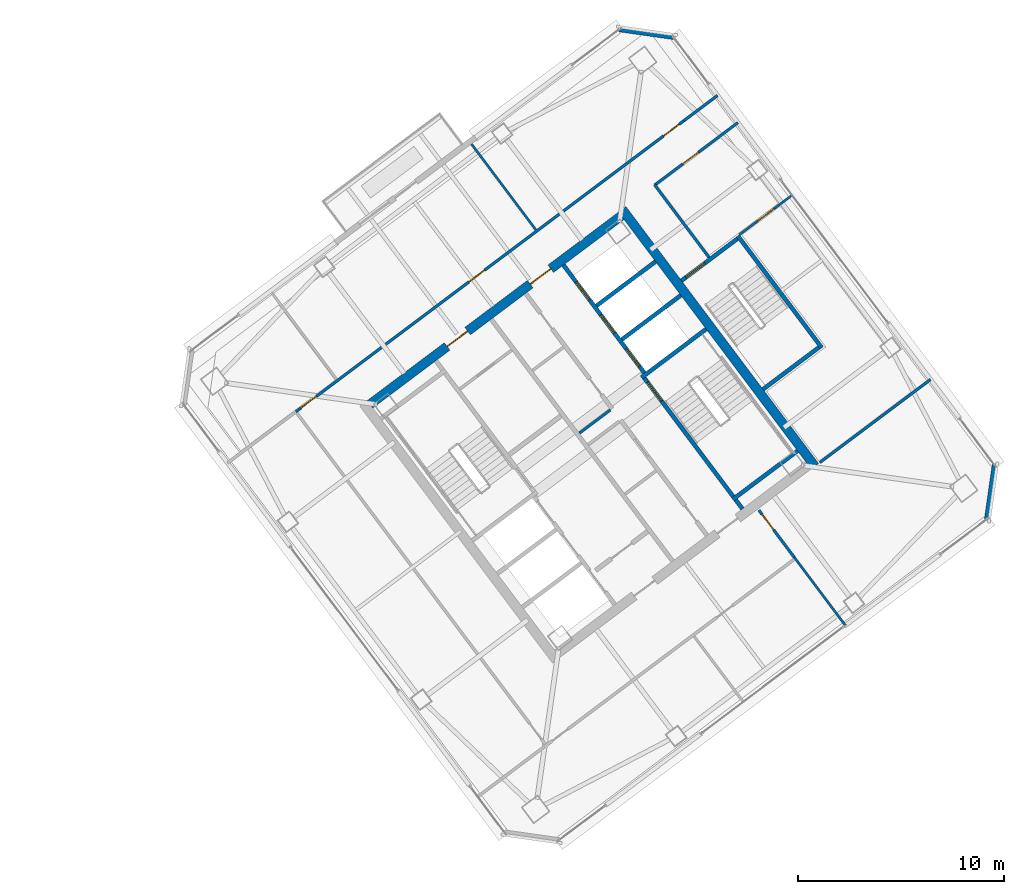
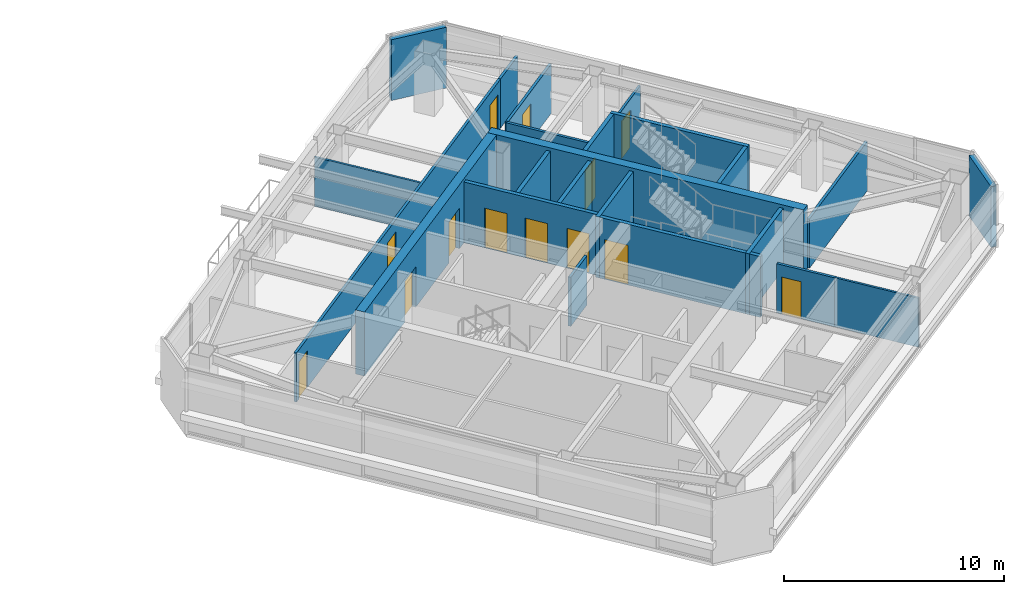
# One storey, part 29 of 36: 23 walls, 13 doors, 13 openings.
"""IFC4 building model written with IfcOpenShell, lengths in metres."""

from ifc_helpers import new_model, si_unit, direction, frame, frame_2d, origin, place, context, subcontext, project, spatial, rectangle, extrude, material, layer, layer_set, type_object, element, fill, save


model = new_model("IFC4")

# Units and contexts
model_context = context("Model", 3, precision=1e-05, world=origin(), true_north=direction((0.0, 1.0)))
body_context = subcontext(model_context, "Body", "Model", "MODEL_VIEW")
ifc_project = project(units=[si_unit("LENGTHUNIT", "METRE"), si_unit("AREAUNIT", "SQUARE_METRE"), si_unit("VOLUMEUNIT", "CUBIC_METRE"), si_unit("PLANEANGLEUNIT", "RADIAN"), si_unit("MASSUNIT", "GRAM", prefix="KILO")], contexts=[model_context])

# Site, building, storey
site_placement = place(None, origin())
site = spatial("IfcSite", under=ifc_project, at=site_placement, CompositionType="ELEMENT")
building_placement = place(site_placement, origin())
building = spatial("IfcBuilding", under=site, at=building_placement, Name="Tashvorn Skyway Center", CompositionType="ELEMENT")
storey_placement = place(building_placement, frame((0.0, 0.0, 236.14990234375)))
storey = spatial("IfcBuildingStorey", under=building, at=storey_placement, Name="L64", CompositionType="ELEMENT", Elevation=236.14990234375)

# Wall
ifc_material_1 = material(Name="Concrete C50/60", Category="concrete")
ifc_layer_1 = layer(ifc_material_1, 0.449951171875)
ifc_layer_set_1 = layer_set([ifc_layer_1], Name="Concrete C50/60")
wall_type_1 = type_object("IfcWallType", Name="WALL-CORE-450", PredefinedType="SHEAR", material=ifc_layer_set_1)
wall_1_placement = place(storey_placement, frame((115.60400390625, 42.952880859375, 0.0), z_axis=(0.0, 0.0, 1.0), x_axis=(0.600005007985, -0.799996243986, 0.0)))
element("IfcWall", 1, at=wall_1_placement, inside=storey, type_object=wall_type_1, Name="Tower 2 L64 East Core Shear Wall", PredefinedType="SHEAR", context=body_context, shape_type="SweptSolid", body=[
    extrude(rectangle(XDim=15.60009765625, YDim=0.449951171875, at=frame_2d((7.800048828125, 0.0))), origin(), (0.0, 0.0, 1.0), 3.550048828125),
])

# Wall, openings, doors
wall_2_placement = place(storey_placement, frame((103.35107421875, 33.48193359375, 0.0), z_axis=(0.0, 0.0, 1.0), x_axis=(0.8, 0.6, 0.0)))
wall_2 = element("IfcWall", 2, at=wall_2_placement, inside=storey, type_object=wall_type_1, Name="Tower 2 L64 North Core Shear Wall", PredefinedType="SHEAR", context=body_context, shape_type="SweptSolid", body=[
    extrude(rectangle(XDim=15.260009765625, YDim=0.449951171875, at=frame_2d((7.6298828125, 0.0))), origin(), (0.0, 0.0, 1.0), 3.550048828125),
])
opening_1_placement = place(wall_2_placement, frame((4.679931640625, 0.0, 0.0)))
opening_1 = element("IfcOpeningElement", 3, at=opening_1_placement, cuts=wall_2, Name="Opening D-FFL-1250", PredefinedType="OPENING", context=body_context, shape_type="SweptSolid", body=[
    extrude(rectangle(XDim=1.25, YDim=2.25, at=frame_2d((0.625, 1.125))), frame((0.0, 0.23486328125, 0.0), z_axis=(0.0, -1.0, 0.0), x_axis=(1.0, 0.0, 0.0)), (0.0, 0.0, 1.0), 0.469970703125),
])
opening_2_placement = place(wall_2_placement, frame((9.72998046875, 0.0, 0.0)))
opening_2 = element("IfcOpeningElement", 4, at=opening_2_placement, cuts=wall_2, Name="Opening D-FFL-1250", PredefinedType="OPENING", context=body_context, shape_type="SweptSolid", body=[
    extrude(rectangle(XDim=1.25, YDim=2.25, at=frame_2d((0.625, 1.125))), frame((0.0, 0.23486328125, 0.0), z_axis=(0.0, -1.0, 0.0), x_axis=(1.0, 0.0, 0.0)), (0.0, 0.0, 1.0), 0.469970703125),
])
ifc_material_2 = material(Name="Hollow galvanized steel fire door assembly", Category="steel")
door_type_1 = type_object("IfcDoorType", Name="DOOR-FFL-1250", OperationType="NOTDEFINED", PredefinedType="DOOR", material=ifc_material_2)
door_1_placement = place(opening_1_placement, origin())
door_1 = element("IfcDoor", 5, at=door_1_placement, inside=storey, type_object=door_type_1, Name="Tower 2 L64 Core North Service Lobby Door", OperationType="SINGLE_SWING_LEFT", OverallHeight=2.25, OverallWidth=1.25, PredefinedType="DOOR", context=body_context, shape_type="SweptSolid", body=[
    extrude(rectangle(XDim=1.25, YDim=2.25, at=frame_2d((0.625, 1.125))), frame((0.0, 0.02490234375, 0.0), z_axis=(0.0, -1.0, 0.0), x_axis=(1.0, 0.0, 0.0)), (0.0, 0.0, 1.0), 0.050048828125),
])
fill(opening_1, door_1)
door_2_placement = place(opening_2_placement, origin())
door_2 = element("IfcDoor", 6, at=door_2_placement, inside=storey, type_object=door_type_1, Name="Tower 2 L64 Core North Lift Lobby Door", OperationType="SINGLE_SWING_RIGHT", OverallHeight=2.25, OverallWidth=1.25, PredefinedType="DOOR", context=body_context, shape_type="SweptSolid", body=[
    extrude(rectangle(XDim=1.25, YDim=2.25, at=frame_2d((0.625, 1.125))), frame((0.0, 0.02490234375, 0.0), z_axis=(0.0, -1.0, 0.0), x_axis=(1.0, 0.0, 0.0)), (0.0, 0.0, 1.0), 0.050048828125),
])
fill(opening_2, door_2)

# Walls
ifc_material_3 = material(Name="Precast concrete C40/50", Category="concrete")
ifc_layer_2 = layer(ifc_material_3, 0.280029296875)
ifc_layer_set_2 = layer_set([ifc_layer_2], Name="Precast concrete C40/50")
wall_type_2 = type_object("IfcWallType", Name="WALL-EXT-280", PredefinedType="SOLIDWALL", material=ifc_layer_set_2)
for number, where, z_axis, x_axis, name in (
    (7, (115.4599609375, 51.719970703125, 0.0), (0.0, 0.0, 1.0), (0.989956760759, -0.141370477216, 0.0), "Tower 2 L64 NE Precast Chamfer Wall"),
    (8, (133.719970703125, 30.5400390625, 0.0), (0.0, 0.0, 1.0), (-0.141370477216, -0.989956760759, 0.0), "Tower 2 L64 SE Precast Chamfer Wall"),
):
    element("IfcWall", number, at=place(storey_placement, frame(where, z_axis=z_axis, x_axis=x_axis)), inside=storey, type_object=wall_type_2, Name=name, PredefinedType="SOLIDWALL", context=body_context, shape_type="SweptSolid", body=[
        extrude(rectangle(XDim=2.687255859375, YDim=0.280029296875, at=frame_2d((1.34375, 0.0))), origin(), (0.0, 0.0, 1.0), 3.3701171875),
    ])
ifc_material_4 = material(Name="Gypsum board on cold-formed steel stud framing", Category="steel")
ifc_layer_3 = layer(ifc_material_4, 0.110107421875)
ifc_layer_set_3 = layer_set([ifc_layer_3], Name="Gypsum board on cold-formed steel stud framing")
wall_type_3 = type_object("IfcWallType", Name="WALL-PART-110", PredefinedType="PARTITIONING", material=ifc_layer_set_3)
wall_3_placement = place(storey_placement, frame((111.402099609375, 41.964111328125, 0.0), z_axis=(0.0, 0.0, 1.0), x_axis=(-0.60002253582, 0.799983097639, 0.0)))
element("IfcWall", 9, at=wall_3_placement, inside=storey, type_object=wall_type_3, Name="Tower 2 L64 North Suite Partition 2", PredefinedType="PARTITIONING", context=body_context, shape_type="SweptSolid", body=[
    extrude(rectangle(XDim=5.199951171875, YDim=0.110107421875, at=frame_2d((2.60009765625, 0.0))), origin(), (0.0, 0.0, 1.0), 2.72314453125),
])
wall_4_placement = place(storey_placement, frame((126.447998046875, 22.736083984375, 0.0), z_axis=(0.0, 0.0, 1.0), x_axis=(-0.599981128793, 0.800014153057, 0.0)))
element("IfcWall", 10, at=wall_4_placement, inside=storey, type_object=wall_type_3, Name="Tower 2 L64 South-East Suite Wall", PredefinedType="PARTITIONING", context=body_context, shape_type="SweptSolid", body=[
    extrude(rectangle(XDim=4.139892578125, YDim=0.110107421875, at=frame_2d((2.06982421875, 0.0))), origin(), (0.0, 0.0, 1.0), 2.72314453125),
])

# Wall, opening, door
wall_5_placement = place(storey_placement, frame((123.864013671875, 43.64794921875, 0.0), z_axis=(0.0, 0.0, 1.0), x_axis=(-0.800018310174, -0.599975585658, 0.0)))
wall_5 = element("IfcWall", 11, at=wall_5_placement, inside=storey, type_object=wall_type_3, Name="Tower 2 L64 East Suite Partition 1", PredefinedType="PARTITIONING", context=body_context, shape_type="SweptSolid", body=[
    extrude(rectangle(XDim=3.199951171875, YDim=0.110107421875, at=frame_2d((1.60009765625, 0.0))), origin(), (0.0, 0.0, 1.0), 2.72314453125),
])
opening_3_placement = place(wall_5_placement, frame((1.125, 0.0, 0.0)))
opening_3 = element("IfcOpeningElement", 12, at=opening_3_placement, cuts=wall_5, Name="Opening D-INT-950", PredefinedType="OPENING", context=body_context, shape_type="SweptSolid", body=[
    extrude(rectangle(XDim=0.949951171875, YDim=2.050048828125, at=frame_2d((0.47509765625, 1.02490234375))), frame((0.0, 0.06494140625, 0.0), z_axis=(0.0, -1.0, 0.0), x_axis=(1.0, 0.0, 0.0)), (0.0, 0.0, 1.0), 0.130126953125),
])
ifc_material_5 = material(Name="Solid-core architectural oak veneer door")
door_type_2 = type_object("IfcDoorType", Name="DOOR-INT-950", OperationType="NOTDEFINED", PredefinedType="DOOR", material=ifc_material_5)
door_3_placement = place(opening_3_placement, origin())
door_3 = element("IfcDoor", 13, at=door_3_placement, inside=storey, type_object=door_type_2, Name="Tower 2 L64 Security Control Room Door", OperationType="SINGLE_SWING_LEFT", OverallHeight=2.050048828125, OverallWidth=0.949951171875, PredefinedType="DOOR", context=body_context, shape_type="SweptSolid", body=[
    extrude(rectangle(XDim=0.949951171875, YDim=2.050048828125, at=frame_2d((0.47509765625, 1.02490234375))), frame((0.0, 0.02490234375, 0.0), z_axis=(0.0, -1.0, 0.0), x_axis=(1.0, 0.0, 0.0)), (0.0, 0.0, 1.0), 0.050048828125),
])
fill(opening_3, door_3)

# Wall
ifc_layer_4 = layer(ifc_material_4, 0.135009765625)
ifc_layer_set_4 = layer_set([ifc_layer_4], Name="Gypsum board on cold-formed steel stud framing")
wall_type_4 = type_object("IfcWallType", Name="WALL-PART-135", PredefinedType="PARTITIONING", material=ifc_layer_set_4)
wall_6_placement = place(storey_placement, frame((119.823974609375, 40.617919921875, 0.0), z_axis=(0.0, 0.0, 1.0), x_axis=(-0.599982243973, 0.800013316712, 0.0)))
element("IfcWall", 14, at=wall_6_placement, inside=storey, type_object=wall_type_4, Name="Tower 2 L64 Stair 3 Access Corridor Wall", PredefinedType="PARTITIONING", context=body_context, shape_type="SweptSolid", body=[
    extrude(rectangle(XDim=4.39990234375, YDim=0.135009765625, at=frame_2d((2.199951171875, 0.0))), origin(), (0.0, 0.0, 1.0), 2.72314453125),
])

# Wall, openings, doors
wall_7_placement = place(storey_placement, frame((99.74609375, 33.1220703125, 0.0), z_axis=(0.0, 0.0, 1.0), x_axis=(0.800001242445, 0.599998343403, 0.0)))
wall_7 = element("IfcWall", 15, at=wall_7_placement, inside=storey, type_object=wall_type_4, Name="Tower 2 L64 North Suite Wall", PredefinedType="PARTITIONING", context=body_context, shape_type="SweptSolid", body=[
    extrude(rectangle(XDim=23.580078125, YDim=0.135009765625, at=frame_2d((11.7900390625, 0.0))), origin(), (0.0, 0.0, 1.0), 2.72314453125),
])
opening_4_placement = place(wall_7_placement, frame((0.300048828125, 0.0, 0.0)))
opening_4 = element("IfcOpeningElement", 16, at=opening_4_placement, cuts=wall_7, Name="Opening D-INT-950", PredefinedType="OPENING", context=body_context, shape_type="SweptSolid", body=[
    extrude(rectangle(XDim=0.949951171875, YDim=2.050048828125, at=frame_2d((0.47509765625, 1.02490234375))), frame((0.0, 0.077392578125, 0.0), z_axis=(0.0, -1.0, 0.0), x_axis=(1.0, 0.0, 0.0)), (0.0, 0.0, 1.0), 0.155029296875),
])
opening_5_placement = place(wall_7_placement, frame((10.512451171875, 0.0, 0.0)))
opening_5 = element("IfcOpeningElement", 17, at=opening_5_placement, cuts=wall_7, Name="Opening D-INT-950", PredefinedType="OPENING", context=body_context, shape_type="SweptSolid", body=[
    extrude(rectangle(XDim=0.949951171875, YDim=2.050048828125, at=frame_2d((0.47509765625, 1.02490234375))), frame((0.0, 0.077392578125, 0.0), z_axis=(0.0, -1.0, 0.0), x_axis=(1.0, 0.0, 0.0)), (0.0, 0.0, 1.0), 0.155029296875),
])
opening_6_placement = place(wall_7_placement, frame((22.330078125, 0.0, 0.0)))
opening_6 = element("IfcOpeningElement", 18, at=opening_6_placement, cuts=wall_7, Name="Opening D-INT-950", PredefinedType="OPENING", context=body_context, shape_type="SweptSolid", body=[
    extrude(rectangle(XDim=0.949951171875, YDim=2.050048828125, at=frame_2d((0.47509765625, 1.02490234375))), frame((0.0, 0.077392578125, 0.0), z_axis=(0.0, -1.0, 0.0), x_axis=(1.0, 0.0, 0.0)), (0.0, 0.0, 1.0), 0.155029296875),
])
door_4_placement = place(opening_4_placement, origin())
door_4 = element("IfcDoor", 19, at=door_4_placement, inside=storey, type_object=door_type_2, Name="Tower 2 L64 Executive Suite Door", OperationType="SINGLE_SWING_RIGHT", OverallHeight=2.050048828125, OverallWidth=0.949951171875, PredefinedType="DOOR", context=body_context, shape_type="SweptSolid", body=[
    extrude(rectangle(XDim=0.949951171875, YDim=2.050048828125, at=frame_2d((0.47509765625, 1.02490234375))), frame((0.0, 0.02490234375, 0.0), z_axis=(0.0, -1.0, 0.0), x_axis=(1.0, 0.0, 0.0)), (0.0, 0.0, 1.0), 0.050048828125),
])
fill(opening_4, door_4)
door_5_placement = place(opening_5_placement, origin())
door_5 = element("IfcDoor", 20, at=door_5_placement, inside=storey, type_object=door_type_2, Name="Tower 2 L64 Executive Suite Door", OperationType="SINGLE_SWING_LEFT", OverallHeight=2.050048828125, OverallWidth=0.949951171875, PredefinedType="DOOR", context=body_context, shape_type="SweptSolid", body=[
    extrude(rectangle(XDim=0.949951171875, YDim=2.050048828125, at=frame_2d((0.47509765625, 1.02490234375))), frame((0.0, 0.02490234375, 0.0), z_axis=(0.0, -1.0, 0.0), x_axis=(1.0, 0.0, 0.0)), (0.0, 0.0, 1.0), 0.050048828125),
])
fill(opening_5, door_5)
door_6_placement = place(opening_6_placement, origin())
door_6 = element("IfcDoor", 21, at=door_6_placement, inside=storey, type_object=door_type_2, Name="Tower 2 L64 Design Studio Door", OperationType="SINGLE_SWING_RIGHT", OverallHeight=2.050048828125, OverallWidth=0.949951171875, PredefinedType="DOOR", context=body_context, shape_type="SweptSolid", body=[
    extrude(rectangle(XDim=0.949951171875, YDim=2.050048828125, at=frame_2d((0.47509765625, 1.02490234375))), frame((0.0, 0.02490234375, 0.0), z_axis=(0.0, -1.0, 0.0), x_axis=(1.0, 0.0, 0.0)), (0.0, 0.0, 1.0), 0.050048828125),
])
fill(opening_6, door_6)

# Wall
wall_8_placement = place(storey_placement, frame((118.610107421875, 47.27001953125, 0.0), z_axis=(0.0, 0.0, 1.0), x_axis=(0.799956698502, 0.600057730991, 0.0)))
element("IfcWall", 22, at=wall_8_placement, inside=storey, type_object=wall_type_4, Name="Tower 2 L64 North-East Suite South Wall", PredefinedType="PARTITIONING", context=body_context, shape_type="SweptSolid", body=[
    extrude(rectangle(XDim=2.02978515625, YDim=0.135009765625, at=frame_2d((1.014892578125, 0.0))), origin(), (0.0, 0.0, 1.0), 2.72314453125),
])

# Wall, opening, door
wall_9_placement = place(storey_placement, frame((122.248046875, 28.3359375, 0.0), z_axis=(0.0, 0.0, 1.0), x_axis=(0.600040975122, -0.799969267018, 0.0)))
wall_9 = element("IfcWall", 23, at=wall_9_placement, inside=storey, type_object=wall_type_4, Name="Tower 2 L64 South Gallery End Wall", PredefinedType="PARTITIONING", context=body_context, shape_type="SweptSolid", body=[
    extrude(rectangle(XDim=2.85986328125, YDim=0.135009765625, at=frame_2d((1.429931640625, 0.0))), origin(), (0.0, 0.0, 1.0), 2.72314453125),
])
opening_7_placement = place(wall_9_placement, frame((0.25, 0.0, 0.0)))
opening_7 = element("IfcOpeningElement", 24, at=opening_7_placement, cuts=wall_9, Name="Opening D-INT-950", PredefinedType="OPENING", context=body_context, shape_type="SweptSolid", body=[
    extrude(rectangle(XDim=0.949951171875, YDim=2.050048828125, at=frame_2d((0.47509765625, 1.02490234375))), frame((0.0, 0.077392578125, 0.0), z_axis=(0.0, -1.0, 0.0), x_axis=(1.0, 0.0, 0.0)), (0.0, 0.0, 1.0), 0.155029296875),
])
door_7_placement = place(opening_7_placement, origin())
door_7 = element("IfcDoor", 25, at=door_7_placement, inside=storey, type_object=door_type_2, Name="Tower 2 L64 Executive Suite Door", OperationType="SINGLE_SWING_LEFT", OverallHeight=2.050048828125, OverallWidth=0.949951171875, PredefinedType="DOOR", context=body_context, shape_type="SweptSolid", body=[
    extrude(rectangle(XDim=0.949951171875, YDim=2.050048828125, at=frame_2d((0.47509765625, 1.02490234375))), frame((0.0, 0.02490234375, 0.0), z_axis=(0.0, -1.0, 0.0), x_axis=(1.0, 0.0, 0.0)), (0.0, 0.0, 1.0), 0.050048828125),
])
fill(opening_7, door_7)

wall_10_placement = place(storey_placement, frame((121.22412109375, 47.16796875, 0.0), z_axis=(0.0, 0.0, 1.0), x_axis=(-0.8, -0.6, 0.0)))
wall_10 = element("IfcWall", 26, at=wall_10_placement, inside=storey, type_object=wall_type_4, Name="Tower 2 L64 East Suite North Wall", PredefinedType="PARTITIONING", context=body_context, shape_type="SweptSolid", body=[
    extrude(rectangle(XDim=5.050048828125, YDim=0.135009765625, at=frame_2d((2.52490234375, 0.0))), origin(), (0.0, 0.0, 1.0), 2.72314453125),
])
opening_8_placement = place(wall_10_placement, frame((2.39990234375, 0.0, 0.0)))
opening_8 = element("IfcOpeningElement", 27, at=opening_8_placement, cuts=wall_10, Name="Opening D-INT-950", PredefinedType="OPENING", context=body_context, shape_type="SweptSolid", body=[
    extrude(rectangle(XDim=0.949951171875, YDim=2.050048828125, at=frame_2d((0.47509765625, 1.02490234375))), frame((0.0, 0.077392578125, 0.0), z_axis=(0.0, -1.0, 0.0), x_axis=(1.0, 0.0, 0.0)), (0.0, 0.0, 1.0), 0.155029296875),
])
door_8_placement = place(opening_8_placement, origin())
door_8 = element("IfcDoor", 28, at=door_8_placement, inside=storey, type_object=door_type_2, Name="Tower 2 L64 Executive Suite Door", OperationType="SINGLE_SWING_RIGHT", OverallHeight=2.050048828125, OverallWidth=0.949951171875, PredefinedType="DOOR", context=body_context, shape_type="SweptSolid", body=[
    extrude(rectangle(XDim=0.949951171875, YDim=2.050048828125, at=frame_2d((0.47509765625, 1.02490234375))), frame((0.0, 0.02490234375, 0.0), z_axis=(0.0, -1.0, 0.0), x_axis=(1.0, 0.0, 0.0)), (0.0, 0.0, 1.0), 0.050048828125),
])
fill(opening_8, door_8)

# Walls
wall_11_placement = place(storey_placement, frame((125.2080078125, 30.656005859375, 0.0), z_axis=(0.0, 0.0, 1.0), x_axis=(0.8, 0.6, 0.0)))
element("IfcWall", 29, at=wall_11_placement, inside=storey, type_object=wall_type_4, Name="Tower 2 L64 East Suite South Wall", PredefinedType="PARTITIONING", context=body_context, shape_type="SweptSolid", body=[
    extrude(rectangle(XDim=6.719970703125, YDim=0.135009765625, at=frame_2d((3.35986328125, 0.0))), origin(), (0.0, 0.0, 1.0), 2.72314453125),
])
ifc_layer_5 = layer(ifc_material_4, 0.135009765625)
ifc_layer_set_5 = layer_set([ifc_layer_5], Name="Gypsum board on cold-formed steel stud framing")
wall_type_5 = type_object("IfcWallType", Name="WALL-RATED-135", PredefinedType="PARTITIONING", material=ifc_layer_set_5)
wall_12_placement = place(storey_placement, frame((113.52587890625, 32.08203125, 0.0), z_axis=(0.0, 0.0, 1.0), x_axis=(0.800046745961, 0.599937666993, 0.0)))
element("IfcWall", 30, at=wall_12_placement, inside=storey, type_object=wall_type_5, Name="Tower 2 L64 Core Room Partition", PredefinedType="PARTITIONING", context=body_context, shape_type="SweptSolid", body=[
    extrude(rectangle(XDim=1.880126953125, YDim=0.135009765625, at=frame_2d((0.93994140625, 0.0))), origin(), (0.0, 0.0, 1.0), 2.72314453125),
])
ifc_material_6 = material(Name="Concrete C40/50", Category="concrete")
ifc_layer_6 = layer(ifc_material_6, 0.199951171875)
ifc_layer_set_6 = layer_set([ifc_layer_6], Name="Concrete C40/50")
wall_type_6 = type_object("IfcWallType", Name="WALL-SHAFT-200", PredefinedType="SOLIDWALL", material=ifc_layer_set_6)
for number, where, z_axis, x_axis, name in (
    (31, (115.590087890625, 36.6298828125, 0.0), (0.0, 0.0, 1.0), (0.799975449747, 0.600032732276, 0.0), "Tower 2 L64 High-Rise Shaft Divider"),
    (32, (114.360107421875, 38.27001953125, 0.0), (0.0, 0.0, 1.0), (0.800008183455, 0.599989088572, 0.0), "Tower 2 L64 High-Rise Shaft Divider"),
):
    element("IfcWall", number, at=place(storey_placement, frame(where, z_axis=z_axis, x_axis=x_axis)), inside=storey, type_object=wall_type_6, Name=name, PredefinedType="SOLIDWALL", context=body_context, shape_type="SweptSolid", body=[
        extrude(rectangle(XDim=3.580078125, YDim=0.199951171875, at=frame_2d((1.7900390625, 0.0))), origin(), (0.0, 0.0, 1.0), 3.3701171875),
    ])

# Wall, opening, door
ifc_layer_7 = layer(ifc_material_6, 0.199951171875)
ifc_layer_set_7 = layer_set([ifc_layer_7], Name="Concrete C40/50")
wall_type_7 = type_object("IfcWallType", Name="WALL-STSHF-200", PredefinedType="SHEAR", material=ifc_layer_set_7)
wall_13_placement = place(storey_placement, frame((116.56005859375, 34.919921875, 0.0), z_axis=(0.0, 0.0, 1.0), x_axis=(0.59999041401, -0.800007189403, 0.0)))
wall_13 = element("IfcWall", 33, at=wall_13_placement, inside=storey, type_object=wall_type_7, Name="Tower 2 L64 Stair 2 Enclosure Wall", PredefinedType="SHEAR", context=body_context, shape_type="SweptSolid", body=[
    extrude(rectangle(XDim=8.14990234375, YDim=0.199951171875, at=frame_2d((4.074951171875, 0.0))), origin(), (0.0, 0.0, 1.0), 3.3701171875),
])
opening_9_placement = place(wall_13_placement, frame((0.449951171875, 0.0, 0.0)))
opening_9 = element("IfcOpeningElement", 34, at=opening_9_placement, cuts=wall_13, Name="Opening D-ST-1150", PredefinedType="OPENING", context=body_context, shape_type="SweptSolid", body=[
    extrude(rectangle(XDim=1.14990234375, YDim=2.199951171875, at=frame_2d((0.574951171875, 1.10009765625))), frame((0.0, 0.10986328125, 0.0), z_axis=(0.0, -1.0, 0.0), x_axis=(1.0, 0.0, 0.0)), (0.0, 0.0, 1.0), 0.219970703125),
])
door_type_3 = type_object("IfcDoorType", Name="DOOR-STAIR-1150", OperationType="NOTDEFINED", PredefinedType="DOOR", material=ifc_material_2)
door_9_placement = place(opening_9_placement, origin())
door_9 = element("IfcDoor", 35, at=door_9_placement, inside=storey, type_object=door_type_3, Name="Tower 2 L64 Exit Stair 2 Door", OperationType="SINGLE_SWING_RIGHT", OverallHeight=2.199951171875, OverallWidth=1.14990234375, PredefinedType="DOOR", context=body_context, shape_type="SweptSolid", body=[
    extrude(rectangle(XDim=1.14990234375, YDim=2.199951171875, at=frame_2d((0.574951171875, 1.10009765625))), frame((0.0, 0.02490234375, 0.0), z_axis=(0.0, -1.0, 0.0), x_axis=(1.0, 0.0, 0.0)), (0.0, 0.0, 1.0), 0.050048828125),
])
fill(opening_9, door_9)

# Walls
for number, where, z_axis, x_axis, name in (
    (36, (116.5400390625, 34.780029296875, 0.0), (0.0, 0.0, 1.0), (0.800014909178, 0.599980120581, 0.0), "Tower 2 L64 Stair 2 North Wall"),
    (37, (120.97998046875, 28.860107421875, 0.0), (0.0, 0.0, 1.0), (0.800014909178, 0.599980120581, 0.0), "Tower 2 L64 Stair 2 South Wall"),
):
    element("IfcWall", number, at=place(storey_placement, frame(where, z_axis=z_axis, x_axis=x_axis)), inside=storey, type_object=wall_type_7, Name=name, PredefinedType="SHEAR", context=body_context, shape_type="SweptSolid", body=[
        extrude(rectangle(XDim=3.929931640625, YDim=0.199951171875, at=frame_2d((1.96484375, 0.0))), origin(), (0.0, 0.0, 1.0), 3.3701171875),
    ])

# Wall, openings, doors
wall_14_placement = place(storey_placement, frame((112.75, 40.25, 0.0), z_axis=(0.0, 0.0, 1.0), x_axis=(0.599994036198, -0.800004472816, 0.0)))
wall_14 = element("IfcWall", 38, at=wall_14_placement, inside=storey, type_object=wall_type_7, Name="Tower 2 L64 High-Rise Lift Shaft Front Wall", PredefinedType="SHEAR", context=body_context, shape_type="SweptSolid", body=[
    extrude(rectangle(XDim=6.550048828125, YDim=0.199951171875, at=frame_2d((3.27490234375, 0.0))), origin(), (0.0, 0.0, 1.0), 3.3701171875),
])
opening_10_placement = place(wall_14_placement, frame((5.074951171875, 0.0, 0.0)))
opening_10 = element("IfcOpeningElement", 39, at=opening_10_placement, cuts=wall_14, Name="Opening LD-HR-T2-1-L64", PredefinedType="OPENING", context=body_context, shape_type="SweptSolid", body=[
    extrude(rectangle(XDim=1.10009765625, YDim=2.199951171875, at=frame_2d((0.550048828125, 1.10009765625))), frame((0.0, 0.10986328125, 0.0), z_axis=(0.0, -1.0, 0.0), x_axis=(1.0, 0.0, 0.0)), (0.0, 0.0, 1.0), 0.219970703125),
])
opening_11_placement = place(wall_14_placement, frame((3.02490234375, 0.0, 0.0)))
opening_11 = element("IfcOpeningElement", 40, at=opening_11_placement, cuts=wall_14, Name="Opening LD-HR-T2-2-L64", PredefinedType="OPENING", context=body_context, shape_type="SweptSolid", body=[
    extrude(rectangle(XDim=1.10009765625, YDim=2.199951171875, at=frame_2d((0.550048828125, 1.10009765625))), frame((0.0, 0.10986328125, 0.0), z_axis=(0.0, -1.0, 0.0), x_axis=(1.0, 0.0, 0.0)), (0.0, 0.0, 1.0), 0.219970703125),
])
opening_12_placement = place(wall_14_placement, frame((1.02490234375, 0.0, 0.0)))
opening_12 = element("IfcOpeningElement", 41, at=opening_12_placement, cuts=wall_14, Name="Opening LD-HR-T2-3-L64", PredefinedType="OPENING", context=body_context, shape_type="SweptSolid", body=[
    extrude(rectangle(XDim=1.10009765625, YDim=2.199951171875, at=frame_2d((0.550048828125, 1.10009765625))), frame((0.0, 0.10986328125, 0.0), z_axis=(0.0, -1.0, 0.0), x_axis=(1.0, 0.0, 0.0)), (0.0, 0.0, 1.0), 0.219970703125),
])
ifc_material_7 = material(Name="Stainless steel landing door", Category="steel")
door_type_4 = type_object("IfcDoorType", Name="DOOR-LIFT-1100", OperationType="SLIDING_TO_LEFT", PredefinedType="DOOR", material=ifc_material_7)
door_10_placement = place(opening_10_placement, origin())
door_10 = element("IfcDoor", 42, at=door_10_placement, inside=storey, type_object=door_type_4, Name="Lift HR-T2-1 L64 Landing Door", OperationType="SLIDING_TO_LEFT", OverallHeight=2.199951171875, OverallWidth=1.10009765625, PredefinedType="DOOR", context=body_context, shape_type="SweptSolid", body=[
    extrude(rectangle(XDim=1.10009765625, YDim=2.199951171875, at=frame_2d((0.550048828125, 1.10009765625))), frame((0.0, 0.02490234375, 0.0), z_axis=(0.0, -1.0, 0.0), x_axis=(1.0, 0.0, 0.0)), (0.0, 0.0, 1.0), 0.050048828125),
])
fill(opening_10, door_10)
door_11_placement = place(opening_11_placement, origin())
door_11 = element("IfcDoor", 43, at=door_11_placement, inside=storey, type_object=door_type_4, Name="Lift HR-T2-2 L64 Landing Door", OperationType="SLIDING_TO_LEFT", OverallHeight=2.199951171875, OverallWidth=1.10009765625, PredefinedType="DOOR", context=body_context, shape_type="SweptSolid", body=[
    extrude(rectangle(XDim=1.10009765625, YDim=2.199951171875, at=frame_2d((0.550048828125, 1.10009765625))), frame((0.0, 0.02490234375, 0.0), z_axis=(0.0, -1.0, 0.0), x_axis=(1.0, 0.0, 0.0)), (0.0, 0.0, 1.0), 0.050048828125),
])
fill(opening_11, door_11)
door_12_placement = place(opening_12_placement, origin())
door_12 = element("IfcDoor", 44, at=door_12_placement, inside=storey, type_object=door_type_4, Name="Lift HR-T2-3 L64 Landing Door", OperationType="SLIDING_TO_LEFT", OverallHeight=2.199951171875, OverallWidth=1.10009765625, PredefinedType="DOOR", context=body_context, shape_type="SweptSolid", body=[
    extrude(rectangle(XDim=1.10009765625, YDim=2.199951171875, at=frame_2d((0.550048828125, 1.10009765625))), frame((0.0, 0.02490234375, 0.0), z_axis=(0.0, -1.0, 0.0), x_axis=(1.0, 0.0, 0.0)), (0.0, 0.0, 1.0), 0.050048828125),
])
fill(opening_12, door_12)

# Wall
wall_15_placement = place(storey_placement, frame((125.303955078125, 36.22802734375, 0.0), z_axis=(0.0, 0.0, 1.0), x_axis=(-0.59998851072, 0.800008616831, 0.0)))
element("IfcWall", 45, at=wall_15_placement, inside=storey, type_object=wall_type_7, Name="Tower 2 L64 Stair 3 Outer Wall", PredefinedType="SHEAR", context=body_context, shape_type="SweptSolid", body=[
    extrude(rectangle(XDim=6.7998046875, YDim=0.199951171875, at=frame_2d((3.39990234375, 0.0))), origin(), (0.0, 0.0, 1.0), 3.3701171875),
])

# Wall, opening, door
wall_16_placement = place(storey_placement, frame((121.2041015625, 41.528076171875, 0.0), z_axis=(0.0, 0.0, 1.0), x_axis=(-0.800017232136, -0.599977023131, 0.0)))
wall_16 = element("IfcWall", 46, at=wall_16_placement, inside=storey, type_object=wall_type_7, Name="Tower 2 L64 Stair 3 Enclosure Wall", PredefinedType="SHEAR", context=body_context, shape_type="SweptSolid", body=[
    extrude(rectangle(XDim=3.400146484375, YDim=0.199951171875, at=frame_2d((1.7001953125, 0.0))), origin(), (0.0, 0.0, 1.0), 3.3701171875),
])
opening_13_placement = place(wall_16_placement, frame((1.97509765625, 0.0, 0.0)))
opening_13 = element("IfcOpeningElement", 47, at=opening_13_placement, cuts=wall_16, Name="Opening D-ST-1150", PredefinedType="OPENING", context=body_context, shape_type="SweptSolid", body=[
    extrude(rectangle(XDim=1.14990234375, YDim=2.199951171875, at=frame_2d((0.574951171875, 1.10009765625))), frame((0.0, 0.10986328125, 0.0), z_axis=(0.0, -1.0, 0.0), x_axis=(1.0, 0.0, 0.0)), (0.0, 0.0, 1.0), 0.219970703125),
])
door_13_placement = place(opening_13_placement, origin())
door_13 = element("IfcDoor", 48, at=door_13_placement, inside=storey, type_object=door_type_3, Name="Tower 2 L64 Exit Stair 3 Door", OperationType="SINGLE_SWING_RIGHT", OverallHeight=2.199951171875, OverallWidth=1.14990234375, PredefinedType="DOOR", context=body_context, shape_type="SweptSolid", body=[
    extrude(rectangle(XDim=1.14990234375, YDim=2.199951171875, at=frame_2d((0.574951171875, 1.10009765625))), frame((0.0, 0.02490234375, 0.0), z_axis=(0.0, -1.0, 0.0), x_axis=(1.0, 0.0, 0.0)), (0.0, 0.0, 1.0), 0.050048828125),
])
fill(opening_13, door_13)

# Wall
wall_17_placement = place(storey_placement, frame((122.444091796875, 34.2080078125, 0.0), z_axis=(0.0, 0.0, 1.0), x_axis=(0.79999138319, 0.600011488909, 0.0)))
element("IfcWall", 49, at=wall_17_placement, inside=storey, type_object=wall_type_7, Name="Tower 2 L64 Stair 3 South Wall", PredefinedType="SHEAR", context=body_context, shape_type="SweptSolid", body=[
    extrude(rectangle(XDim=3.39990234375, YDim=0.199951171875, at=frame_2d((1.699951171875, 0.0))), origin(), (0.0, 0.0, 1.0), 3.3701171875),
])

save(model, "model.ifc")
